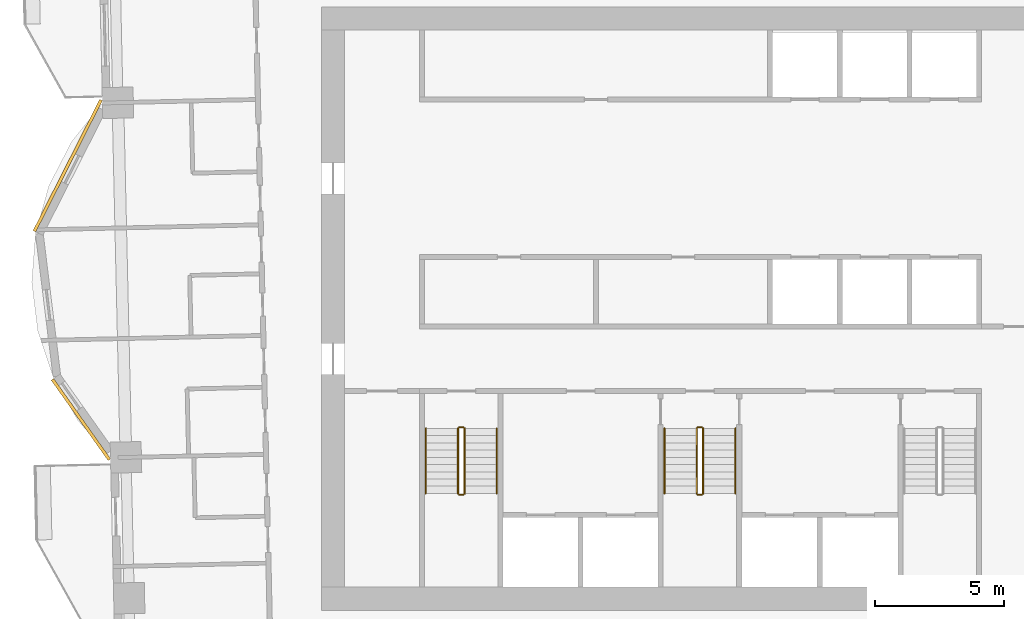
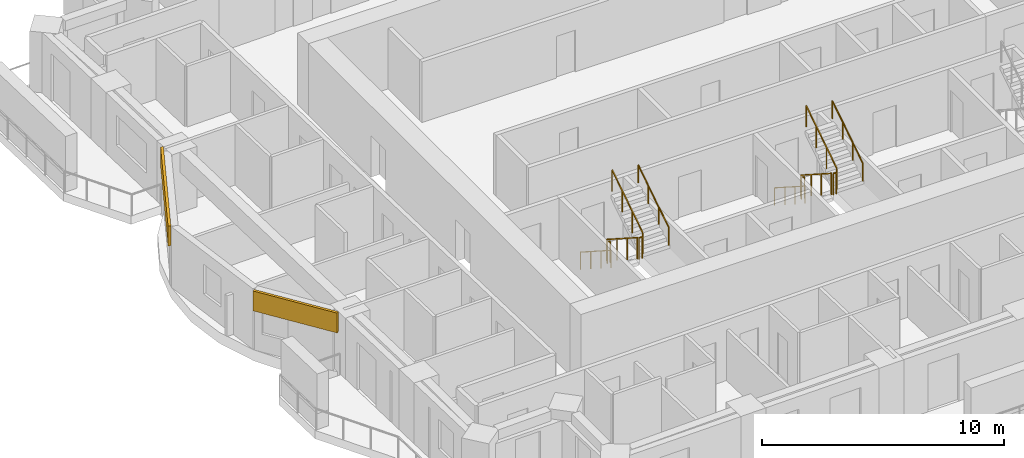
# One storey, part 12 of 14: 12 railings, 2 coverings.
"""IFC4 building model written with IfcOpenShell, lengths in metres."""

from ifc_helpers import new_model, si_unit, direction, frame, frame_2d, origin, origin_2d, place, context, subcontext, project, spatial, rectangle, circle, extrude, material, layer, layer_set, type_object, element, save


model = new_model("IFC4")

# Units and contexts
model_context = context("Model", 3, precision=1e-05, world=origin(), true_north=direction((0.0, 1.0)))
body_context = subcontext(model_context, "Body", "Model", "MODEL_VIEW")
ifc_project = project(units=[si_unit("LENGTHUNIT", "METRE"), si_unit("AREAUNIT", "SQUARE_METRE"), si_unit("VOLUMEUNIT", "CUBIC_METRE"), si_unit("PLANEANGLEUNIT", "RADIAN"), si_unit("MASSUNIT", "GRAM", prefix="KILO")], contexts=[model_context])

# Site, building, storey
site_placement = place(None, origin())
site = spatial("IfcSite", under=ifc_project, at=site_placement, CompositionType="ELEMENT")
building_placement = place(site_placement, origin())
building = spatial("IfcBuilding", under=site, at=building_placement, Name="Mangrove Gate Tower", CompositionType="ELEMENT")
storey_placement = place(building_placement, frame((0.0, 0.0, 186.10009765625)))
storey = spatial("IfcBuildingStorey", under=building, at=storey_placement, Name="L47", CompositionType="ELEMENT", Elevation=186.10009765625)

# Railings
ifc_material_1 = material(Name="Stainless steel 316", Category="steel")
railing_type_1 = type_object("IfcRailingType", Name="Core stair guard 1100", PredefinedType="GUARDRAIL", material=ifc_material_1)
railing_1_placement = place(storey_placement, frame((-9.39990234375, -4.64990234375, 0.179931640625)))
element("IfcRailing", 1, at=railing_1_placement, inside=storey, type_object=railing_type_1, Name="L47 ST1 stair guard 1", PredefinedType="GUARDRAIL", context=body_context, shape_type="SweptSolid", body=[
    extrude(rectangle(XDim=0.048095703125, YDim=0.048095703125, at=origin_2d()), frame((0.0, 0.0, 1.076171875), z_axis=(0.0, -0.841199657755, 0.540724639528), x_axis=(1.0, 0.0, 0.0)), (0.0, 0.0, 1.0), 2.995849609375),
    extrude(rectangle(XDim=0.0419921875, YDim=0.0419921875, at=origin_2d()), origin(), (0.0, 0.0, 1.0), 1.052001953125),
    extrude(rectangle(XDim=0.0419921875, YDim=0.0419921875, at=origin_2d()), frame((0.0, -0.840087890625, 0.5400390625)), (0.0, 0.0, 1.0), 1.052001953125),
    extrude(rectangle(XDim=0.0419921875, YDim=0.0419921875, at=origin_2d()), frame((0.0, -1.679931640625, 1.079833984375)), (0.0, 0.0, 1.0), 1.052001953125),
    extrude(rectangle(XDim=0.0419921875, YDim=0.0419921875, at=origin_2d()), frame((0.0, -2.52001953125, 1.619873046875)), (0.0, 0.0, 1.0), 1.052001953125),
])
railing_2_placement = place(storey_placement, frame((-9.35009765625, -7.219970703125, 1.7998046875)))
element("IfcRailing", 2, at=railing_2_placement, inside=storey, type_object=railing_type_1, Name="L47 ST1 stair guard 2", PredefinedType="GUARDRAIL", context=body_context, shape_type="SweptSolid", body=[
    extrude(rectangle(XDim=0.048095703125, YDim=0.048095703125, at=origin_2d()), frame((0.0, 0.0, 1.076171875), z_axis=(1.0, 0.0, 0.0), x_axis=(0.0, 1.0, 0.0)), (0.0, 0.0, 1.0), 0.150146484375),
    extrude(rectangle(XDim=0.0419921875, YDim=0.0419921875, at=origin_2d()), origin(), (0.0, 0.0, 1.0), 1.052001953125),
    extrude(rectangle(XDim=0.0419921875, YDim=0.0419921875, at=origin_2d()), frame((0.150146484375, 0.0, 0.0)), (0.0, 0.0, 1.0), 1.052001953125),
])
railing_3_placement = place(storey_placement, frame((-9.14990234375, -7.169921875, 1.97998046875)))
element("IfcRailing", 3, at=railing_3_placement, inside=storey, type_object=railing_type_1, Name="L47 ST1 stair guard 3", PredefinedType="GUARDRAIL", context=body_context, shape_type="SweptSolid", body=[
    extrude(rectangle(XDim=0.048095703125, YDim=0.048095703125, at=origin_2d()), frame((0.0, 0.0, 1.076171875), z_axis=(0.0, 0.841199657755, 0.540724639528), x_axis=(-1.0, 0.0, 0.0)), (0.0, 0.0, 1.0), 2.995849609375),
    extrude(rectangle(XDim=0.0419921875, YDim=0.0419921875, at=origin_2d()), origin(), (0.0, 0.0, 1.0), 1.052001953125),
    extrude(rectangle(XDim=0.0419921875, YDim=0.0419921875, at=origin_2d()), frame((0.0, 0.840087890625, 0.5400390625)), (0.0, 0.0, 1.0), 1.052001953125),
    extrude(rectangle(XDim=0.0419921875, YDim=0.0419921875, at=origin_2d()), frame((0.0, 1.679931640625, 1.079833984375)), (0.0, 0.0, 1.0), 1.052001953125),
    extrude(rectangle(XDim=0.0419921875, YDim=0.0419921875, at=origin_2d()), frame((0.0, 2.52001953125, 1.619873046875)), (0.0, 0.0, 1.0), 1.052001953125),
])
railing_4_placement = place(storey_placement, frame((-9.35009765625, -4.60009765625, 0.0)))
element("IfcRailing", 4, at=railing_4_placement, inside=storey, type_object=railing_type_1, Name="L47 ST1 stair guard 4", PredefinedType="GUARDRAIL", context=body_context, shape_type="SweptSolid", body=[
    extrude(rectangle(XDim=0.048095703125, YDim=0.048095703125, at=origin_2d()), frame((0.0, 0.0, 1.076171875), z_axis=(1.0, 0.0, 0.0), x_axis=(0.0, 1.0, 0.0)), (0.0, 0.0, 1.0), 0.150146484375),
    extrude(rectangle(XDim=0.0419921875, YDim=0.0419921875, at=origin_2d()), origin(), (0.0, 0.0, 1.0), 1.052001953125),
    extrude(rectangle(XDim=0.0419921875, YDim=0.0419921875, at=origin_2d()), frame((0.150146484375, 0.0, 0.0)), (0.0, 0.0, 1.0), 1.052001953125),
])
railing_5_placement = place(storey_placement, frame((-0.14990234375, -4.64990234375, 0.179931640625)))
element("IfcRailing", 5, at=railing_5_placement, inside=storey, type_object=railing_type_1, Name="L47 ST2 stair guard 1", PredefinedType="GUARDRAIL", context=body_context, shape_type="SweptSolid", body=[
    extrude(rectangle(XDim=0.048095703125, YDim=0.048095703125, at=origin_2d()), frame((0.0, 0.0, 1.076171875), z_axis=(0.0, -0.841199657755, 0.540724639528), x_axis=(1.0, 0.0, 0.0)), (0.0, 0.0, 1.0), 2.995849609375),
    extrude(rectangle(XDim=0.0419921875, YDim=0.0419921875, at=origin_2d()), origin(), (0.0, 0.0, 1.0), 1.052001953125),
    extrude(rectangle(XDim=0.0419921875, YDim=0.0419921875, at=origin_2d()), frame((0.0, -0.840087890625, 0.5400390625)), (0.0, 0.0, 1.0), 1.052001953125),
    extrude(rectangle(XDim=0.0419921875, YDim=0.0419921875, at=origin_2d()), frame((0.0, -1.679931640625, 1.079833984375)), (0.0, 0.0, 1.0), 1.052001953125),
    extrude(rectangle(XDim=0.0419921875, YDim=0.0419921875, at=origin_2d()), frame((0.0, -2.52001953125, 1.619873046875)), (0.0, 0.0, 1.0), 1.052001953125),
])
railing_6_placement = place(storey_placement, frame((-0.10009765625, -7.219970703125, 1.7998046875)))
element("IfcRailing", 6, at=railing_6_placement, inside=storey, type_object=railing_type_1, Name="L47 ST2 stair guard 2", PredefinedType="GUARDRAIL", context=body_context, shape_type="SweptSolid", body=[
    extrude(rectangle(XDim=0.048095703125, YDim=0.048095703125, at=origin_2d()), frame((0.0, 0.0, 1.076171875), z_axis=(1.0, 0.0, 0.0), x_axis=(0.0, 1.0, 0.0)), (0.0, 0.0, 1.0), 0.150146484375),
    extrude(rectangle(XDim=0.0419921875, YDim=0.0419921875, at=origin_2d()), origin(), (0.0, 0.0, 1.0), 1.052001953125),
    extrude(rectangle(XDim=0.0419921875, YDim=0.0419921875, at=origin_2d()), frame((0.150146484375, 0.0, 0.0)), (0.0, 0.0, 1.0), 1.052001953125),
])
railing_7_placement = place(storey_placement, frame((0.10009765625, -7.169921875, 1.97998046875)))
element("IfcRailing", 7, at=railing_7_placement, inside=storey, type_object=railing_type_1, Name="L47 ST2 stair guard 3", PredefinedType="GUARDRAIL", context=body_context, shape_type="SweptSolid", body=[
    extrude(rectangle(XDim=0.048095703125, YDim=0.048095703125, at=origin_2d()), frame((0.0, 0.0, 1.076171875), z_axis=(0.0, 0.841199657755, 0.540724639528), x_axis=(-1.0, 0.0, 0.0)), (0.0, 0.0, 1.0), 2.995849609375),
    extrude(rectangle(XDim=0.0419921875, YDim=0.0419921875, at=origin_2d()), origin(), (0.0, 0.0, 1.0), 1.052001953125),
    extrude(rectangle(XDim=0.0419921875, YDim=0.0419921875, at=origin_2d()), frame((0.0, 0.840087890625, 0.5400390625)), (0.0, 0.0, 1.0), 1.052001953125),
    extrude(rectangle(XDim=0.0419921875, YDim=0.0419921875, at=origin_2d()), frame((0.0, 1.679931640625, 1.079833984375)), (0.0, 0.0, 1.0), 1.052001953125),
    extrude(rectangle(XDim=0.0419921875, YDim=0.0419921875, at=origin_2d()), frame((0.0, 2.52001953125, 1.619873046875)), (0.0, 0.0, 1.0), 1.052001953125),
])
railing_8_placement = place(storey_placement, frame((-0.10009765625, -4.60009765625, 0.0)))
element("IfcRailing", 8, at=railing_8_placement, inside=storey, type_object=railing_type_1, Name="L47 ST2 stair guard 4", PredefinedType="GUARDRAIL", context=body_context, shape_type="SweptSolid", body=[
    extrude(rectangle(XDim=0.048095703125, YDim=0.048095703125, at=origin_2d()), frame((0.0, 0.0, 1.076171875), z_axis=(1.0, 0.0, 0.0), x_axis=(0.0, 1.0, 0.0)), (0.0, 0.0, 1.0), 0.150146484375),
    extrude(rectangle(XDim=0.0419921875, YDim=0.0419921875, at=origin_2d()), origin(), (0.0, 0.0, 1.0), 1.052001953125),
    extrude(rectangle(XDim=0.0419921875, YDim=0.0419921875, at=origin_2d()), frame((0.150146484375, 0.0, 0.0)), (0.0, 0.0, 1.0), 1.052001953125),
])
ifc_material_2 = material(Name="Stainless steel 316", Category="steel")
railing_type_2 = type_object("IfcRailingType", Name="Core stair handrail 900", PredefinedType="HANDRAIL", material=ifc_material_2)
railing_9_placement = place(storey_placement, frame((-10.64990234375, -4.64990234375, 0.179931640625)))
element("IfcRailing", 9, at=railing_9_placement, inside=storey, type_object=railing_type_2, Name="L47 ST1 stair handrail 1", PredefinedType="HANDRAIL", context=body_context, shape_type="SweptSolid", body=[
    extrude(circle(Radius=0.02392578125, at=origin_2d()), frame((0.0, 0.0, 0.8759765625), z_axis=(0.0, -0.841199657755, 0.540724639528), x_axis=(1.0, 0.0, 0.0)), (0.0, 0.0, 1.0), 2.995849609375),
    extrude(circle(Radius=0.02099609375, at=origin_2d()), origin(), (0.0, 0.0, 1.0), 0.851806640625),
    extrude(circle(Radius=0.02099609375, at=origin_2d()), frame((0.0, -0.840087890625, 0.5400390625)), (0.0, 0.0, 1.0), 0.851806640625),
    extrude(circle(Radius=0.02099609375, at=origin_2d()), frame((0.0, -1.679931640625, 1.079833984375)), (0.0, 0.0, 1.0), 0.851806640625),
    extrude(circle(Radius=0.02099609375, at=origin_2d()), frame((0.0, -2.52001953125, 1.619873046875)), (0.0, 0.0, 1.0), 0.851806640625),
])
railing_10_placement = place(storey_placement, frame((-7.89990234375, -7.169921875, 1.97998046875)))
element("IfcRailing", 10, at=railing_10_placement, inside=storey, type_object=railing_type_2, Name="L47 ST1 stair handrail 2", PredefinedType="HANDRAIL", context=body_context, shape_type="SweptSolid", body=[
    extrude(circle(Radius=0.02392578125, at=origin_2d()), frame((0.0, 0.0, 0.8759765625), z_axis=(0.0, 0.841199657755, 0.540724639528), x_axis=(-1.0, 0.0, 0.0)), (0.0, 0.0, 1.0), 2.995849609375),
    extrude(circle(Radius=0.02099609375, at=origin_2d()), origin(), (0.0, 0.0, 1.0), 0.851806640625),
    extrude(circle(Radius=0.02099609375, at=origin_2d()), frame((0.0, 0.840087890625, 0.5400390625)), (0.0, 0.0, 1.0), 0.851806640625),
    extrude(circle(Radius=0.02099609375, at=origin_2d()), frame((0.0, 1.679931640625, 1.079833984375)), (0.0, 0.0, 1.0), 0.851806640625),
    extrude(circle(Radius=0.02099609375, at=origin_2d()), frame((0.0, 2.52001953125, 1.619873046875)), (0.0, 0.0, 1.0), 0.851806640625),
])
railing_11_placement = place(storey_placement, frame((-1.39990234375, -4.64990234375, 0.179931640625)))
element("IfcRailing", 11, at=railing_11_placement, inside=storey, type_object=railing_type_2, Name="L47 ST2 stair handrail 1", PredefinedType="HANDRAIL", context=body_context, shape_type="SweptSolid", body=[
    extrude(circle(Radius=0.02392578125, at=origin_2d()), frame((0.0, 0.0, 0.8759765625), z_axis=(0.0, -0.841199657755, 0.540724639528), x_axis=(1.0, 0.0, 0.0)), (0.0, 0.0, 1.0), 2.995849609375),
    extrude(circle(Radius=0.02099609375, at=origin_2d()), origin(), (0.0, 0.0, 1.0), 0.851806640625),
    extrude(circle(Radius=0.02099609375, at=origin_2d()), frame((0.0, -0.840087890625, 0.5400390625)), (0.0, 0.0, 1.0), 0.851806640625),
    extrude(circle(Radius=0.02099609375, at=origin_2d()), frame((0.0, -1.679931640625, 1.079833984375)), (0.0, 0.0, 1.0), 0.851806640625),
    extrude(circle(Radius=0.02099609375, at=origin_2d()), frame((0.0, -2.52001953125, 1.619873046875)), (0.0, 0.0, 1.0), 0.851806640625),
])
railing_12_placement = place(storey_placement, frame((1.35009765625, -7.169921875, 1.97998046875)))
element("IfcRailing", 12, at=railing_12_placement, inside=storey, type_object=railing_type_2, Name="L47 ST2 stair handrail 2", PredefinedType="HANDRAIL", context=body_context, shape_type="SweptSolid", body=[
    extrude(circle(Radius=0.02392578125, at=origin_2d()), frame((0.0, 0.0, 0.8759765625), z_axis=(0.0, 0.841199657755, 0.540724639528), x_axis=(-1.0, 0.0, 0.0)), (0.0, 0.0, 1.0), 2.995849609375),
    extrude(circle(Radius=0.02099609375, at=origin_2d()), origin(), (0.0, 0.0, 1.0), 0.851806640625),
    extrude(circle(Radius=0.02099609375, at=origin_2d()), frame((0.0, 0.840087890625, 0.5400390625)), (0.0, 0.0, 1.0), 0.851806640625),
    extrude(circle(Radius=0.02099609375, at=origin_2d()), frame((0.0, 1.679931640625, 1.079833984375)), (0.0, 0.0, 1.0), 0.851806640625),
    extrude(circle(Radius=0.02099609375, at=origin_2d()), frame((0.0, 2.52001953125, 1.619873046875)), (0.0, 0.0, 1.0), 0.851806640625),
])

# Coverings
ifc_material_3 = material(Name="Limestone", Category="masonry")
ifc_layer_1 = layer(ifc_material_3, 0.0400390625, Name="Limestone cladding")
ifc_material_4 = material(Name="Stainless steel anchors and cavity", Category="steel")
ifc_layer_2 = layer(ifc_material_4, 0.080078125, Name="Fixing cavity")
ifc_layer_set = layer_set([ifc_layer_1, ifc_layer_2], Name="Joint fascia cladding 120")
covering_type = type_object("IfcCoveringType", Name="Joint fascia cladding 120", PredefinedType="CLADDING", material=ifc_layer_set)
covering_1_placement = place(storey_placement, frame((-23.2421875, 8.08837890625, 2.0498046875), z_axis=(0.0, 0.0, 1.0), x_axis=(-0.452546311406, -0.891740901851, 0.0)))
element("IfcCovering", 13, at=covering_1_placement, inside=storey, type_object=covering_type, Name="STONE FASCIA L47 W9.L1", PredefinedType="CLADDING", context=body_context, shape_type="SweptSolid", body=[
    extrude(rectangle(XDim=5.705078125, YDim=0.1201171875, at=frame_2d((2.8525390625, 0.0))), origin(), (0.0, 0.0, 1.0), 1.0),
])
covering_2_placement = place(storey_placement, frame((-25.1279296875, -2.7470703125, 2.0498046875), z_axis=(0.0, 0.0, 1.0), x_axis=(0.578168098379, -0.815917673553, 0.0)))
element("IfcCovering", 14, at=covering_2_placement, inside=storey, type_object=covering_type, Name="STONE FASCIA L47 W9.L2", PredefinedType="CLADDING", context=body_context, shape_type="SweptSolid", body=[
    extrude(rectangle(XDim=3.819091796875, YDim=0.1201171875, at=frame_2d((1.90966796875, 0.0))), origin(), (0.0, 0.0, 1.0), 1.0),
])

save(model, "model.ifc")
